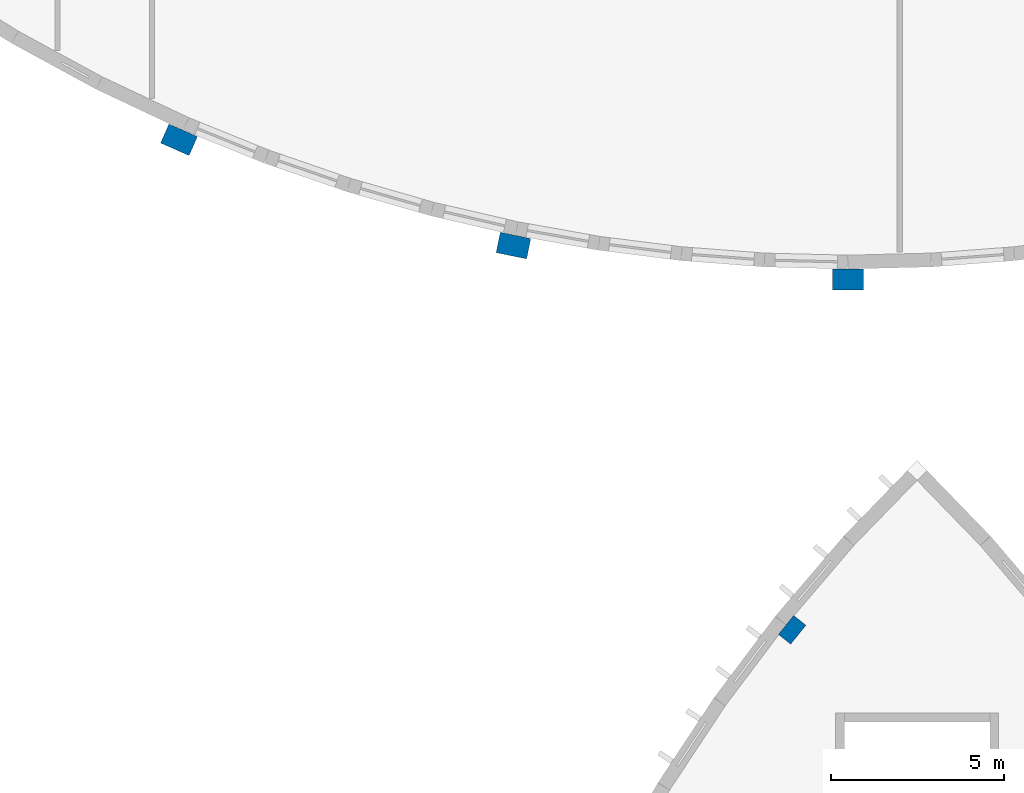
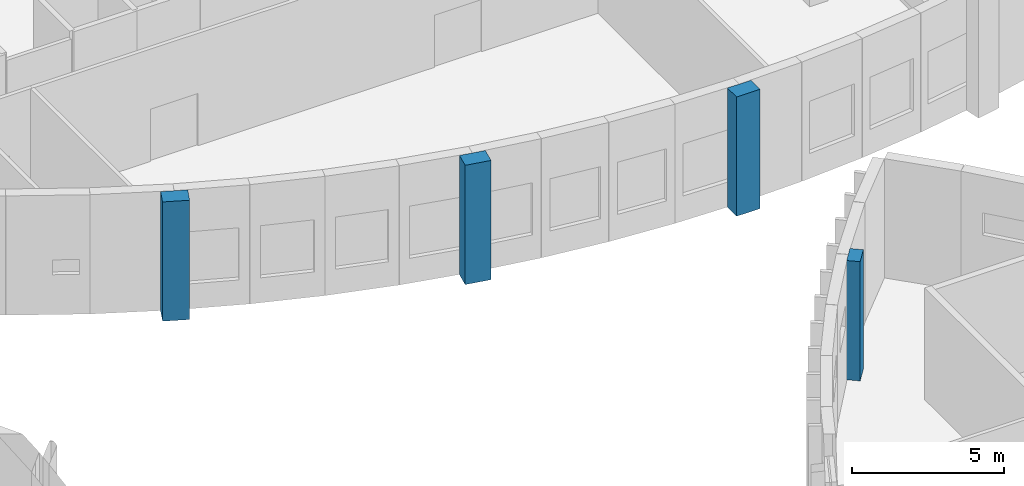
# One storey, part 5 of 93: 4 columns.
"""IFC4 building model written with IfcOpenShell, lengths in metres."""

from ifc_helpers import new_model, si_unit, direction, frame, origin, origin_2d, place, context, subcontext, project, spatial, rectangle, extrude, material, material_profile, profile_set, type_object, element, save


model = new_model("IFC4")

# Units and contexts
model_context = context("Model", 3, precision=1e-05, world=origin(), true_north=direction((0.0, 1.0)))
body_context = subcontext(model_context, "Body", "Model", "MODEL_VIEW")
ifc_project = project(units=[si_unit("LENGTHUNIT", "METRE"), si_unit("AREAUNIT", "SQUARE_METRE"), si_unit("VOLUMEUNIT", "CUBIC_METRE"), si_unit("PLANEANGLEUNIT", "RADIAN"), si_unit("MASSUNIT", "GRAM", prefix="KILO")], contexts=[model_context])

# Site, building, storey
site_placement = place(None, origin())
site = spatial("IfcSite", under=ifc_project, at=site_placement, CompositionType="ELEMENT")
building_placement = place(site_placement, origin())
building = spatial("IfcBuilding", under=site, at=building_placement, Name="Tide Square Theatres", CompositionType="ELEMENT")
storey_placement = place(building_placement, frame((0.0, 0.0, 5.39990234375)))
storey = spatial("IfcBuildingStorey", under=building, at=storey_placement, Name="L01", CompositionType="ELEMENT", Elevation=5.39990234375)

# Columns
ifc_material_1 = material(Name="Concrete C40", Category="concrete")
ifc_material_profile_1 = material_profile(ifc_material_1, rectangle(XDim=0.699951171875, YDim=0.449951171875, at=origin_2d()))
ifc_profile_set_1 = profile_set([ifc_material_profile_1], Name="Concrete C40")
column_type_1 = type_object("IfcColumnType", Name="RC pier 700 x 450", PredefinedType="PILASTER", material=ifc_profile_set_1)
column_placement = place(storey_placement, frame((128.390625, 74.609130859375, 0.0), z_axis=(0.0, 0.0, 1.0), x_axis=(-0.625818839057, -0.779968448517, 0.0)))
element("IfcColumn", 1, at=column_placement, inside=storey, type_object=column_type_1, Name="Black Box Theatre wall pier", PredefinedType="PILASTER", context=body_context, shape_type="SweptSolid", body=[
    extrude(rectangle(XDim=0.699951171875, YDim=0.449951171875, at=origin_2d()), origin(), (0.0, 0.0, 1.0), 4.800048828125),
])
ifc_material_2 = material(Name="Concrete C40", Category="concrete")
ifc_material_profile_2 = material_profile(ifc_material_2, rectangle(XDim=0.89990234375, YDim=0.60009765625, at=origin_2d()))
ifc_profile_set_2 = profile_set([ifc_material_profile_2], Name="Concrete C40")
column_type_2 = type_object("IfcColumnType", Name="RC pier 900 x 600", PredefinedType="PILASTER", material=ifc_profile_set_2)
for number, where, z_axis, x_axis, name in (
    (2, (110.678955078125, 88.76416015625, 0.0), (0.0, 0.0, 1.0), (0.915419314521, -0.402501526211, 0.0), "Rehearsal Block rib pier 2"),
    (3, (120.339599609375, 85.707275390625, 0.0), (0.0, 0.0, 1.0), (0.979575047818, -0.201078904144, 0.0), "Rehearsal Block rib pier 3"),
    (4, (130.0, 84.731201171875, 0.0), (0.0, 0.0, 1.0), (1.0, 0.0, 0.0), "Rehearsal Block rib pier 4"),
):
    element("IfcColumn", number, at=place(storey_placement, frame(where, z_axis=z_axis, x_axis=x_axis)), inside=storey, type_object=column_type_2, Name=name, PredefinedType="PILASTER", context=body_context, shape_type="SweptSolid", body=[
        extrude(rectangle(XDim=0.89990234375, YDim=0.60009765625, at=origin_2d()), origin(), (0.0, 0.0, 1.0), 4.800048828125),
    ])

save(model, "model.ifc")
